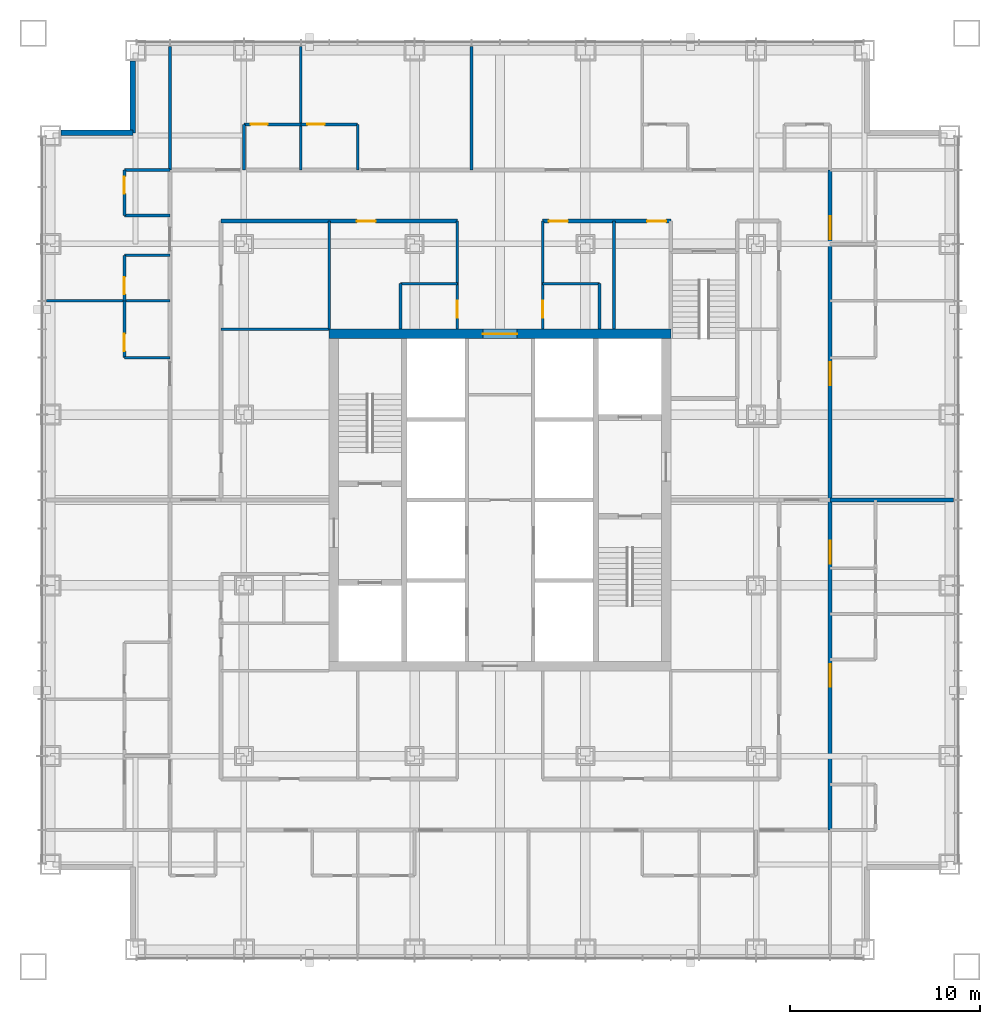
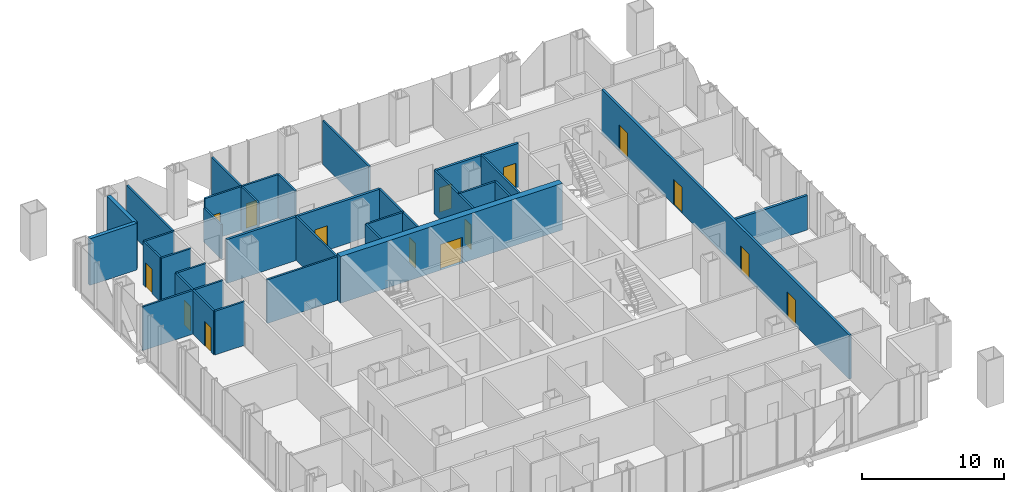
# One storey, part 11 of 14: 31 walls, 15 doors, 15 openings.
"""IFC4 building model written with IfcOpenShell, lengths in metres."""

from ifc_helpers import new_model, si_unit, direction, frame, frame_2d, origin, place, context, subcontext, project, spatial, rectangle, extrude, material, layer, layer_set, type_object, element, fill, save


model = new_model("IFC4")

# Units and contexts
model_context = context("Model", 3, precision=1e-05, world=origin(), true_north=direction((0.0, 1.0)))
body_context = subcontext(model_context, "Body", "Model", "MODEL_VIEW")
ifc_project = project(units=[si_unit("LENGTHUNIT", "METRE"), si_unit("AREAUNIT", "SQUARE_METRE"), si_unit("VOLUMEUNIT", "CUBIC_METRE"), si_unit("PLANEANGLEUNIT", "RADIAN"), si_unit("MASSUNIT", "GRAM", prefix="KILO")], contexts=[model_context])

# Site, building, storey
site_placement = place(None, origin())
site = spatial("IfcSite", under=ifc_project, at=site_placement, CompositionType="ELEMENT")
building_placement = place(site_placement, origin())
building = spatial("IfcBuilding", under=site, at=building_placement, Name="Malebo Sky Hospital", CompositionType="ELEMENT")
storey_placement = place(building_placement, frame((0.0, 0.0, 128.0)))
storey = spatial("IfcBuildingStorey", under=building, at=storey_placement, Name="L30", CompositionType="ELEMENT", Elevation=128.0)

# Wall, opening, door
ifc_material_1 = material(Name="Concrete C80/95", Category="concrete")
ifc_layer_1 = layer(ifc_material_1, 0.5)
ifc_layer_set_1 = layer_set([ifc_layer_1], Name="CORE WALL 500")
wall_type_1 = type_object("IfcWallType", Name="CORE WALL 500", PredefinedType="SHEAR", material=ifc_layer_set_1)
wall_1_placement = place(storey_placement, frame((51.0, 70.75, 0.0), z_axis=(0.0, 0.0, 1.0), x_axis=(1.0, 0.0, 0.0)))
wall_1 = element("IfcWall", 1, at=wall_1_placement, inside=storey, type_object=wall_type_1, Name="Core wall N L30", PredefinedType="SHEAR", context=body_context, shape_type="SweptSolid", body=[
    extrude(rectangle(XDim=18.0, YDim=0.5, at=frame_2d((9.0, 0.0))), origin(), (0.0, 0.0, 1.0), 4.0),
])
opening_1_placement = place(wall_1_placement, frame((8.10009765625, 0.0, 0.0)))
opening_1 = element("IfcOpeningElement", 2, at=opening_1_placement, cuts=wall_1, Name="Opening D06", PredefinedType="OPENING", context=body_context, shape_type="SweptSolid", body=[
    extrude(rectangle(XDim=1.800048828125, YDim=2.199951171875, at=frame_2d((0.89990234375, 1.10009765625))), frame((0.0, 0.260009765625, 0.0), z_axis=(0.0, -1.0, 0.0), x_axis=(1.0, 0.0, 0.0)), (0.0, 0.0, 1.0), 0.52001953125),
])
ifc_material_2 = material(Name="Hardwood-faced door leaf in steel frame", Category="steel")
door_type_1 = type_object("IfcDoorType", Name="LOBBY DOOR PAIR 1800", OperationType="DOUBLE_DOOR_SINGLE_SWING", PredefinedType="DOOR", material=ifc_material_2)
door_1_placement = place(opening_1_placement, origin())
door_1 = element("IfcDoor", 3, at=door_1_placement, inside=storey, type_object=door_type_1, Name="vending room door north", OperationType="DOUBLE_DOOR_SINGLE_SWING", OverallHeight=2.199951171875, OverallWidth=1.800048828125, PredefinedType="DOOR", context=body_context, shape_type="SweptSolid", body=[
    extrude(rectangle(XDim=1.800048828125, YDim=2.199951171875, at=frame_2d((0.89990234375, 1.10009765625))), frame((0.0, 0.02490234375, 0.0), z_axis=(0.0, -1.0, 0.0), x_axis=(1.0, 0.0, 0.0)), (0.0, 0.0, 1.0), 0.050048828125),
])
fill(opening_1, door_1)

ifc_material_3 = material(Name="Gypsum board on steel studs", Category="steel")
ifc_layer_2 = layer(ifc_material_3, 0.199951171875)
ifc_layer_set_2 = layer_set([ifc_layer_2], Name="CORRIDOR WALL 200")
wall_type_2 = type_object("IfcWallType", Name="CORRIDOR WALL 200", PredefinedType="PARTITIONING", material=ifc_layer_set_2)
wall_2_placement = place(storey_placement, frame((45.300048828125, 76.699951171875, 0.0), z_axis=(0.0, 0.0, 1.0), x_axis=(1.0, 0.0, 0.0)))
wall_2 = element("IfcWall", 4, at=wall_2_placement, inside=storey, type_object=wall_type_2, Name="Corridor Wall 200 NCI1", PredefinedType="PARTITIONING", context=body_context, shape_type="SweptSolid", body=[
    extrude(rectangle(XDim=12.449951171875, YDim=0.199951171875, at=frame_2d((6.22509765625, 0.0))), origin(), (0.0, 0.0, 1.0), 3.75),
])
opening_2_placement = place(wall_2_placement, frame((7.14990234375, 0.0, 0.0)))
opening_2 = element("IfcOpeningElement", 5, at=opening_2_placement, cuts=wall_2, Name="Opening D03", PredefinedType="OPENING", context=body_context, shape_type="SweptSolid", body=[
    extrude(rectangle(XDim=1.0, YDim=2.10009765625, at=frame_2d((0.5, 1.050048828125))), frame((0.0, 0.10986328125, 0.0), z_axis=(0.0, -1.0, 0.0), x_axis=(1.0, 0.0, 0.0)), (0.0, 0.0, 1.0), 0.219970703125),
])
door_type_2 = type_object("IfcDoorType", Name="ROOM DOOR 1000", OperationType="SINGLE_SWING_LEFT", PredefinedType="DOOR", material=ifc_material_2)
door_2_placement = place(opening_2_placement, origin())
door_2 = element("IfcDoor", 6, at=door_2_placement, inside=storey, type_object=door_type_2, Name="Ward pantry door", OperationType="SINGLE_SWING_LEFT", OverallHeight=2.10009765625, OverallWidth=1.0, PredefinedType="DOOR", context=body_context, shape_type="SweptSolid", body=[
    extrude(rectangle(XDim=1.0, YDim=2.10009765625, at=frame_2d((0.5, 1.050048828125))), frame((0.0, 0.02490234375, 0.0), z_axis=(0.0, -1.0, 0.0), x_axis=(1.0, 0.0, 0.0)), (0.0, 0.0, 1.0), 0.050048828125),
])
fill(opening_2, door_2)

# Wall, openings, doors
wall_3_placement = place(storey_placement, frame((62.25, 76.699951171875, 0.0), z_axis=(0.0, 0.0, 1.0), x_axis=(1.0, 0.0, 0.0)))
wall_3 = element("IfcWall", 7, at=wall_3_placement, inside=storey, type_object=wall_type_2, Name="Corridor Wall 200 NCI2", PredefinedType="PARTITIONING", context=body_context, shape_type="SweptSolid", body=[
    extrude(rectangle(XDim=6.75, YDim=0.199951171875, at=frame_2d((3.375, 0.0))), origin(), (0.0, 0.0, 1.0), 3.75),
])
opening_3_placement = place(wall_3_placement, frame((0.324951171875, 0.0, 0.0)))
opening_3 = element("IfcOpeningElement", 8, at=opening_3_placement, cuts=wall_3, Name="Opening D03", PredefinedType="OPENING", context=body_context, shape_type="SweptSolid", body=[
    extrude(rectangle(XDim=1.0, YDim=2.10009765625, at=frame_2d((0.5, 1.050048828125))), frame((0.0, 0.10986328125, 0.0), z_axis=(0.0, -1.0, 0.0), x_axis=(1.0, 0.0, 0.0)), (0.0, 0.0, 1.0), 0.219970703125),
])
opening_4_placement = place(wall_3_placement, frame((5.5, 0.0, 0.0)))
opening_4 = element("IfcOpeningElement", 9, at=opening_4_placement, cuts=wall_3, Name="Opening D03", PredefinedType="OPENING", context=body_context, shape_type="SweptSolid", body=[
    extrude(rectangle(XDim=1.0, YDim=2.10009765625, at=frame_2d((0.5, 1.050048828125))), frame((0.0, 0.10986328125, 0.0), z_axis=(0.0, -1.0, 0.0), x_axis=(1.0, 0.0, 0.0)), (0.0, 0.0, 1.0), 0.219970703125),
])
door_3_placement = place(opening_3_placement, origin())
door_3 = element("IfcDoor", 10, at=door_3_placement, inside=storey, type_object=door_type_2, Name="Medication room door", OperationType="SINGLE_SWING_LEFT", OverallHeight=2.10009765625, OverallWidth=1.0, PredefinedType="DOOR", context=body_context, shape_type="SweptSolid", body=[
    extrude(rectangle(XDim=1.0, YDim=2.10009765625, at=frame_2d((0.5, 1.050048828125))), frame((0.0, 0.02490234375, 0.0), z_axis=(0.0, -1.0, 0.0), x_axis=(1.0, 0.0, 0.0)), (0.0, 0.0, 1.0), 0.050048828125),
])
fill(opening_3, door_3)
door_4_placement = place(opening_4_placement, origin())
door_4 = element("IfcDoor", 11, at=door_4_placement, inside=storey, type_object=door_type_2, Name="Seminar room door", OperationType="SINGLE_SWING_RIGHT", OverallHeight=2.10009765625, OverallWidth=1.0, PredefinedType="DOOR", context=body_context, shape_type="SweptSolid", body=[
    extrude(rectangle(XDim=1.0, YDim=2.10009765625, at=frame_2d((0.5, 1.050048828125))), frame((0.0, 0.02490234375, 0.0), z_axis=(0.0, -1.0, 0.0), x_axis=(1.0, 0.0, 0.0)), (0.0, 0.0, 1.0), 0.050048828125),
])
fill(opening_4, door_4)

wall_4_placement = place(storey_placement, frame((77.39990234375, 79.39990234375, 0.0), z_axis=(0.0, 0.0, 1.0), x_axis=(0.0, -1.0, 0.0)))
wall_4 = element("IfcWall", 12, at=wall_4_placement, inside=storey, type_object=wall_type_2, Name="Corridor Wall 200 ECO", PredefinedType="PARTITIONING", context=body_context, shape_type="SweptSolid", body=[
    extrude(rectangle(XDim=34.7998046875, YDim=0.199951171875, at=frame_2d((17.39990234375, 0.0))), origin(), (0.0, 0.0, 1.0), 3.75),
])
opening_5_placement = place(wall_4_placement, frame((2.449951171875, 0.0, 0.0)))
opening_5 = element("IfcOpeningElement", 13, at=opening_5_placement, cuts=wall_4, Name="Opening D18", PredefinedType="OPENING", context=body_context, shape_type="SweptSolid", body=[
    extrude(rectangle(XDim=1.199951171875, YDim=2.199951171875, at=frame_2d((0.60009765625, 1.10009765625))), frame((0.0, 0.10986328125, 0.0), z_axis=(0.0, -1.0, 0.0), x_axis=(1.0, 0.0, 0.0)), (0.0, 0.0, 1.0), 0.219970703125),
])
opening_6_placement = place(wall_4_placement, frame((10.14990234375, 0.0, 0.0)))
opening_6 = element("IfcOpeningElement", 14, at=opening_6_placement, cuts=wall_4, Name="Opening D01", PredefinedType="OPENING", context=body_context, shape_type="SweptSolid", body=[
    extrude(rectangle(XDim=1.199951171875, YDim=2.199951171875, at=frame_2d((0.60009765625, 1.10009765625))), frame((0.0, 0.10986328125, 0.0), z_axis=(0.0, -1.0, 0.0), x_axis=(1.0, 0.0, 0.0)), (0.0, 0.0, 1.0), 0.219970703125),
])
opening_7_placement = place(wall_4_placement, frame((19.550048828125, 0.0, 0.0)))
opening_7 = element("IfcOpeningElement", 15, at=opening_7_placement, cuts=wall_4, Name="Opening D18", PredefinedType="OPENING", context=body_context, shape_type="SweptSolid", body=[
    extrude(rectangle(XDim=1.199951171875, YDim=2.199951171875, at=frame_2d((0.60009765625, 1.10009765625))), frame((0.0, 0.10986328125, 0.0), z_axis=(0.0, -1.0, 0.0), x_axis=(1.0, 0.0, 0.0)), (0.0, 0.0, 1.0), 0.219970703125),
])
opening_8_placement = place(wall_4_placement, frame((26.050048828125, 0.0, 0.0)))
opening_8 = element("IfcOpeningElement", 16, at=opening_8_placement, cuts=wall_4, Name="Opening D01", PredefinedType="OPENING", context=body_context, shape_type="SweptSolid", body=[
    extrude(rectangle(XDim=1.199951171875, YDim=2.199951171875, at=frame_2d((0.60009765625, 1.10009765625))), frame((0.0, 0.10986328125, 0.0), z_axis=(0.0, -1.0, 0.0), x_axis=(1.0, 0.0, 0.0)), (0.0, 0.0, 1.0), 0.219970703125),
])
door_type_3 = type_object("IfcDoorType", Name="ANTEROOM DOOR 1200", OperationType="SINGLE_SWING_LEFT", PredefinedType="DOOR", material=ifc_material_2)
door_5_placement = place(opening_5_placement, origin())
door_5 = element("IfcDoor", 17, at=door_5_placement, inside=storey, type_object=door_type_3, Name="Anteroom door", OperationType="SINGLE_SWING_RIGHT", OverallHeight=2.199951171875, OverallWidth=1.199951171875, PredefinedType="DOOR", context=body_context, shape_type="SweptSolid", body=[
    extrude(rectangle(XDim=1.199951171875, YDim=2.199951171875, at=frame_2d((0.60009765625, 1.10009765625))), frame((0.0, 0.02490234375, 0.0), z_axis=(0.0, -1.0, 0.0), x_axis=(1.0, 0.0, 0.0)), (0.0, 0.0, 1.0), 0.050048828125),
])
fill(opening_5, door_5)
door_6_placement = place(opening_7_placement, origin())
door_6 = element("IfcDoor", 18, at=door_6_placement, inside=storey, type_object=door_type_3, Name="Anteroom door", OperationType="SINGLE_SWING_RIGHT", OverallHeight=2.199951171875, OverallWidth=1.199951171875, PredefinedType="DOOR", context=body_context, shape_type="SweptSolid", body=[
    extrude(rectangle(XDim=1.199951171875, YDim=2.199951171875, at=frame_2d((0.60009765625, 1.10009765625))), frame((0.0, 0.02490234375, 0.0), z_axis=(0.0, -1.0, 0.0), x_axis=(1.0, 0.0, 0.0)), (0.0, 0.0, 1.0), 0.050048828125),
])
fill(opening_7, door_6)
door_type_4 = type_object("IfcDoorType", Name="BED DOOR 1200", OperationType="SINGLE_SWING_LEFT", PredefinedType="DOOR", material=ifc_material_2)
door_7_placement = place(opening_6_placement, origin())
door_7 = element("IfcDoor", 19, at=door_7_placement, inside=storey, type_object=door_type_4, Name="Two-bed room door", OperationType="SINGLE_SWING_LEFT", OverallHeight=2.199951171875, OverallWidth=1.199951171875, PredefinedType="DOOR", context=body_context, shape_type="SweptSolid", body=[
    extrude(rectangle(XDim=1.199951171875, YDim=2.199951171875, at=frame_2d((0.60009765625, 1.10009765625))), frame((0.0, 0.02490234375, 0.0), z_axis=(0.0, -1.0, 0.0), x_axis=(1.0, 0.0, 0.0)), (0.0, 0.0, 1.0), 0.050048828125),
])
fill(opening_6, door_7)
door_8_placement = place(opening_8_placement, origin())
door_8 = element("IfcDoor", 20, at=door_8_placement, inside=storey, type_object=door_type_4, Name="Four-bed bay door", OperationType="SINGLE_SWING_LEFT", OverallHeight=2.199951171875, OverallWidth=1.199951171875, PredefinedType="DOOR", context=body_context, shape_type="SweptSolid", body=[
    extrude(rectangle(XDim=1.199951171875, YDim=2.199951171875, at=frame_2d((0.60009765625, 1.10009765625))), frame((0.0, 0.02490234375, 0.0), z_axis=(0.0, -1.0, 0.0), x_axis=(1.0, 0.0, 0.0)), (0.0, 0.0, 1.0), 0.050048828125),
])
fill(opening_8, door_8)

# Walls
ifc_material_4 = material(Name="Anodised aluminium rainscreen on steel framing", Category="steel")
ifc_layer_3 = layer(ifc_material_4, 0.300048828125)
ifc_layer_set_3 = layer_set([ifc_layer_3], Name="NOTCH RAINSCREEN WALL 300")
wall_type_3 = type_object("IfcWallType", Name="NOTCH RAINSCREEN WALL 300", PredefinedType="ELEMENTEDWALL", material=ifc_layer_set_3)
for number, where, z_axis, x_axis, name in (
    (21, (36.85009765625, 81.35009765625, 0.0), (0.0, 0.0, 1.0), (1.0, 0.0, 0.0), "Notch rainscreen wall W1 L30"),
    (22, (40.64990234375, 81.35009765625, 0.0), (0.0, 0.0, 1.0), (0.0, 1.0, 0.0), "Notch rainscreen wall W2 L30"),
):
    element("IfcWall", number, at=place(storey_placement, frame(where, z_axis=z_axis, x_axis=x_axis)), inside=storey, type_object=wall_type_3, Name=name, PredefinedType="ELEMENTEDWALL", context=body_context, shape_type="SweptSolid", body=[
        extrude(rectangle(XDim=3.7998046875, YDim=0.300048828125, at=frame_2d((1.89990234375, 0.0))), origin(), (0.0, 0.0, 1.0), 4.0),
    ])
ifc_layer_4 = layer(ifc_material_3, 0.14990234375)
ifc_layer_set_4 = layer_set([ifc_layer_4], Name="PARTITION 150")
wall_type_4 = type_object("IfcWallType", Name="PARTITION 150", PredefinedType="PARTITIONING", material=ifc_layer_set_4)
for number, where, z_axis, x_axis, name in (
    (23, (49.5, 79.39990234375, 0.0), (0.0, 0.0, 1.0), (0.0, 1.0, 0.0), "Partition 150 NP-10.5"),
    (24, (58.5, 79.39990234375, 0.0), (0.0, 0.0, 1.0), (0.0, 1.0, 0.0), "Partition 150 NP-1.5"),
    (25, (42.60009765625, 79.39990234375, 0.0), (0.0, 0.0, 1.0), (0.0, 1.0, 0.0), "Partition 150 NP0"),
):
    element("IfcWall", number, at=place(storey_placement, frame(where, z_axis=z_axis, x_axis=x_axis)), inside=storey, type_object=wall_type_4, Name=name, PredefinedType="PARTITIONING", context=body_context, shape_type="SweptSolid", body=[
        extrude(rectangle(XDim=6.510009765625, YDim=0.14990234375, at=frame_2d((3.2548828125, 0.0))), origin(), (0.0, 0.0, 1.0), 3.75),
    ])

# Wall, opening, door
wall_5_placement = place(storey_placement, frame((46.5, 81.800048828125, 0.0), z_axis=(0.0, 0.0, 1.0), x_axis=(1.0, 0.0, 0.0)))
wall_5 = element("IfcWall", 26, at=wall_5_placement, inside=storey, type_object=wall_type_4, Name="Partition 150 NE0F", PredefinedType="PARTITIONING", context=body_context, shape_type="SweptSolid", body=[
    extrude(rectangle(XDim=3.0, YDim=0.14990234375, at=frame_2d((1.5, 0.0))), origin(), (0.0, 0.0, 1.0), 3.75),
])
opening_9_placement = place(wall_5_placement, frame((0.35009765625, 0.0, 0.0)))
opening_9 = element("IfcOpeningElement", 27, at=opening_9_placement, cuts=wall_5, Name="Opening D02", PredefinedType="OPENING", context=body_context, shape_type="SweptSolid", body=[
    extrude(rectangle(XDim=0.89990234375, YDim=2.10009765625, at=frame_2d((0.449951171875, 1.050048828125))), frame((0.0, 0.0849609375, 0.0), z_axis=(0.0, -1.0, 0.0), x_axis=(1.0, 0.0, 0.0)), (0.0, 0.0, 1.0), 0.169921875),
])
door_type_5 = type_object("IfcDoorType", Name="EN-SUITE DOOR 900", OperationType="SINGLE_SWING_LEFT", PredefinedType="DOOR", material=ifc_material_2)
door_9_placement = place(opening_9_placement, origin())
door_9 = element("IfcDoor", 28, at=door_9_placement, inside=storey, type_object=door_type_5, Name="En-suite door", OperationType="SINGLE_SWING_LEFT", OverallHeight=2.10009765625, OverallWidth=0.89990234375, PredefinedType="DOOR", context=body_context, shape_type="SweptSolid", body=[
    extrude(rectangle(XDim=0.89990234375, YDim=2.10009765625, at=frame_2d((0.449951171875, 1.050048828125))), frame((0.0, 0.02490234375, 0.0), z_axis=(0.0, -1.0, 0.0), x_axis=(1.0, 0.0, 0.0)), (0.0, 0.0, 1.0), 0.050048828125),
])
fill(opening_9, door_9)

# Wall
wall_6_placement = place(storey_placement, frame((46.5, 79.39990234375, 0.0), z_axis=(0.0, 0.0, 1.0), x_axis=(0.0, 1.0, 0.0)))
element("IfcWall", 29, at=wall_6_placement, inside=storey, type_object=wall_type_4, Name="Partition 150 NE0S", PredefinedType="PARTITIONING", context=body_context, shape_type="SweptSolid", body=[
    extrude(rectangle(XDim=2.400146484375, YDim=0.14990234375, at=frame_2d((1.2001953125, 0.0))), origin(), (0.0, 0.0, 1.0), 2.949951171875),
])

# Wall, opening, door
wall_7_placement = place(storey_placement, frame((49.5, 81.800048828125, 0.0), z_axis=(0.0, 0.0, 1.0), x_axis=(1.0, 0.0, 0.0)))
wall_7 = element("IfcWall", 30, at=wall_7_placement, inside=storey, type_object=wall_type_4, Name="Partition 150 NE1F", PredefinedType="PARTITIONING", context=body_context, shape_type="SweptSolid", body=[
    extrude(rectangle(XDim=3.0, YDim=0.14990234375, at=frame_2d((1.5, 0.0))), origin(), (0.0, 0.0, 1.0), 3.75),
])
opening_10_placement = place(wall_7_placement, frame((0.35009765625, 0.0, 0.0)))
opening_10 = element("IfcOpeningElement", 31, at=opening_10_placement, cuts=wall_7, Name="Opening D02", PredefinedType="OPENING", context=body_context, shape_type="SweptSolid", body=[
    extrude(rectangle(XDim=0.89990234375, YDim=2.10009765625, at=frame_2d((0.449951171875, 1.050048828125))), frame((0.0, 0.0849609375, 0.0), z_axis=(0.0, -1.0, 0.0), x_axis=(1.0, 0.0, 0.0)), (0.0, 0.0, 1.0), 0.169921875),
])
door_10_placement = place(opening_10_placement, origin())
door_10 = element("IfcDoor", 32, at=door_10_placement, inside=storey, type_object=door_type_5, Name="En-suite door", OperationType="SINGLE_SWING_LEFT", OverallHeight=2.10009765625, OverallWidth=0.89990234375, PredefinedType="DOOR", context=body_context, shape_type="SweptSolid", body=[
    extrude(rectangle(XDim=0.89990234375, YDim=2.10009765625, at=frame_2d((0.449951171875, 1.050048828125))), frame((0.0, 0.02490234375, 0.0), z_axis=(0.0, -1.0, 0.0), x_axis=(1.0, 0.0, 0.0)), (0.0, 0.0, 1.0), 0.050048828125),
])
fill(opening_10, door_10)

# Walls
wall_8_placement = place(storey_placement, frame((52.5, 79.39990234375, 0.0), z_axis=(0.0, 0.0, 1.0), x_axis=(0.0, 1.0, 0.0)))
element("IfcWall", 33, at=wall_8_placement, inside=storey, type_object=wall_type_4, Name="Partition 150 NE1S", PredefinedType="PARTITIONING", context=body_context, shape_type="SweptSolid", body=[
    extrude(rectangle(XDim=2.400146484375, YDim=0.14990234375, at=frame_2d((1.2001953125, 0.0))), origin(), (0.0, 0.0, 1.0), 3.75),
])
wall_9_placement = place(storey_placement, frame((51.0, 71.0, 0.0), z_axis=(0.0, 0.0, 1.0), x_axis=(0.0, 1.0, 0.0)))
element("IfcWall", 34, at=wall_9_placement, inside=storey, type_object=wall_type_4, Name="Partition 150 NSP0", PredefinedType="PARTITIONING", context=body_context, shape_type="SweptSolid", body=[
    extrude(rectangle(XDim=5.699951171875, YDim=0.14990234375, at=frame_2d((2.85009765625, 0.0))), origin(), (0.0, 0.0, 1.0), 3.75),
])

# Wall, opening, door
wall_10_placement = place(storey_placement, frame((57.75, 71.0, 0.0), z_axis=(0.0, 0.0, 1.0), x_axis=(0.0, 1.0, 0.0)))
wall_10 = element("IfcWall", 35, at=wall_10_placement, inside=storey, type_object=wall_type_4, Name="Partition 150 NSPA", PredefinedType="PARTITIONING", context=body_context, shape_type="SweptSolid", body=[
    extrude(rectangle(XDim=5.699951171875, YDim=0.14990234375, at=frame_2d((2.85009765625, 0.0))), origin(), (0.0, 0.0, 1.0), 3.75),
])
opening_11_placement = place(wall_10_placement, frame((0.60009765625, 0.0, 0.0)))
opening_11 = element("IfcOpeningElement", 36, at=opening_11_placement, cuts=wall_10, Name="Opening D04", PredefinedType="OPENING", context=body_context, shape_type="SweptSolid", body=[
    extrude(rectangle(XDim=0.89990234375, YDim=2.10009765625, at=frame_2d((0.449951171875, 1.050048828125))), frame((0.0, 0.0849609375, 0.0), z_axis=(0.0, -1.0, 0.0), x_axis=(1.0, 0.0, 0.0)), (0.0, 0.0, 1.0), 0.169921875),
])
door_type_6 = type_object("IfcDoorType", Name="ROOM DOOR 900", OperationType="SINGLE_SWING_LEFT", PredefinedType="DOOR", material=ifc_material_2)
door_11_placement = place(opening_11_placement, origin())
door_11 = element("IfcDoor", 37, at=door_11_placement, inside=storey, type_object=door_type_6, Name="Staff WC door", OperationType="SINGLE_SWING_LEFT", OverallHeight=2.10009765625, OverallWidth=0.89990234375, PredefinedType="DOOR", context=body_context, shape_type="SweptSolid", body=[
    extrude(rectangle(XDim=0.89990234375, YDim=2.10009765625, at=frame_2d((0.449951171875, 1.050048828125))), frame((0.0, 0.02490234375, 0.0), z_axis=(0.0, -1.0, 0.0), x_axis=(1.0, 0.0, 0.0)), (0.0, 0.0, 1.0), 0.050048828125),
])
fill(opening_11, door_11)

wall_11_placement = place(storey_placement, frame((62.25, 71.0, 0.0), z_axis=(0.0, 0.0, 1.0), x_axis=(0.0, 1.0, 0.0)))
wall_11 = element("IfcWall", 38, at=wall_11_placement, inside=storey, type_object=wall_type_4, Name="Partition 150 NSPB", PredefinedType="PARTITIONING", context=body_context, shape_type="SweptSolid", body=[
    extrude(rectangle(XDim=5.699951171875, YDim=0.14990234375, at=frame_2d((2.85009765625, 0.0))), origin(), (0.0, 0.0, 1.0), 3.75),
])
opening_12_placement = place(wall_11_placement, frame((0.60009765625, 0.0, 0.0)))
opening_12 = element("IfcOpeningElement", 39, at=opening_12_placement, cuts=wall_11, Name="Opening D04", PredefinedType="OPENING", context=body_context, shape_type="SweptSolid", body=[
    extrude(rectangle(XDim=0.89990234375, YDim=2.10009765625, at=frame_2d((0.449951171875, 1.050048828125))), frame((0.0, 0.0849609375, 0.0), z_axis=(0.0, -1.0, 0.0), x_axis=(1.0, 0.0, 0.0)), (0.0, 0.0, 1.0), 0.169921875),
])
door_12_placement = place(opening_12_placement, origin())
door_12 = element("IfcDoor", 40, at=door_12_placement, inside=storey, type_object=door_type_6, Name="Accessible WC door", OperationType="SINGLE_SWING_LEFT", OverallHeight=2.10009765625, OverallWidth=0.89990234375, PredefinedType="DOOR", context=body_context, shape_type="SweptSolid", body=[
    extrude(rectangle(XDim=0.89990234375, YDim=2.10009765625, at=frame_2d((0.449951171875, 1.050048828125))), frame((0.0, 0.02490234375, 0.0), z_axis=(0.0, -1.0, 0.0), x_axis=(1.0, 0.0, 0.0)), (0.0, 0.0, 1.0), 0.050048828125),
])
fill(opening_12, door_12)

# Walls
wall_12_placement = place(storey_placement, frame((66.0, 71.0, 0.0), z_axis=(0.0, 0.0, 1.0), x_axis=(0.0, 1.0, 0.0)))
element("IfcWall", 41, at=wall_12_placement, inside=storey, type_object=wall_type_4, Name="Partition 150 NSP+6.0", PredefinedType="PARTITIONING", context=body_context, shape_type="SweptSolid", body=[
    extrude(rectangle(XDim=5.699951171875, YDim=0.14990234375, at=frame_2d((2.85009765625, 0.0))), origin(), (0.0, 0.0, 1.0), 3.75),
])
wall_13_placement = place(storey_placement, frame((54.75, 73.39990234375, 0.0), z_axis=(0.0, 0.0, 1.0), x_axis=(1.0, 0.0, 0.0)))
element("IfcWall", 42, at=wall_13_placement, inside=storey, type_object=wall_type_4, Name="Partition 150 NSX0", PredefinedType="PARTITIONING", context=body_context, shape_type="SweptSolid", body=[
    extrude(rectangle(XDim=3.0, YDim=0.14990234375, at=frame_2d((1.5, 0.0))), origin(), (0.0, 0.0, 1.0), 3.75),
])
wall_14_placement = place(storey_placement, frame((54.75, 71.0, 0.0), z_axis=(0.0, 0.0, 1.0), x_axis=(0.0, 1.0, 0.0)))
element("IfcWall", 43, at=wall_14_placement, inside=storey, type_object=wall_type_4, Name="Partition 150 NSY0", PredefinedType="PARTITIONING", context=body_context, shape_type="SweptSolid", body=[
    extrude(rectangle(XDim=2.39990234375, YDim=0.14990234375, at=frame_2d((1.199951171875, 0.0))), origin(), (0.0, 0.0, 1.0), 3.75),
])
wall_15_placement = place(storey_placement, frame((62.25, 73.39990234375, 0.0), z_axis=(0.0, 0.0, 1.0), x_axis=(1.0, 0.0, 0.0)))
element("IfcWall", 44, at=wall_15_placement, inside=storey, type_object=wall_type_4, Name="Partition 150 NSX1", PredefinedType="PARTITIONING", context=body_context, shape_type="SweptSolid", body=[
    extrude(rectangle(XDim=3.0, YDim=0.14990234375, at=frame_2d((1.5, 0.0))), origin(), (0.0, 0.0, 1.0), 3.75),
])
wall_16_placement = place(storey_placement, frame((65.25, 71.0, 0.0), z_axis=(0.0, 0.0, 1.0), x_axis=(0.0, 1.0, 0.0)))
element("IfcWall", 45, at=wall_16_placement, inside=storey, type_object=wall_type_4, Name="Partition 150 NSY1", PredefinedType="PARTITIONING", context=body_context, shape_type="SweptSolid", body=[
    extrude(rectangle(XDim=2.39990234375, YDim=0.14990234375, at=frame_2d((1.199951171875, 0.0))), origin(), (0.0, 0.0, 1.0), 3.75),
])
wall_17_placement = place(storey_placement, frame((42.60009765625, 72.5, 0.0), z_axis=(0.0, 0.0, 1.0), x_axis=(-1.0, 0.0, 0.0)))
element("IfcWall", 46, at=wall_17_placement, inside=storey, type_object=wall_type_4, Name="Partition 150 WP+10.5", PredefinedType="PARTITIONING", context=body_context, shape_type="SweptSolid", body=[
    extrude(rectangle(XDim=6.510009765625, YDim=0.14990234375, at=frame_2d((3.2548828125, 0.0))), origin(), (0.0, 0.0, 1.0), 3.75),
])

# Wall, opening, door
wall_18_placement = place(storey_placement, frame((40.199951171875, 69.5, 0.0), z_axis=(0.0, 0.0, 1.0), x_axis=(0.0, 1.0, 0.0)))
wall_18 = element("IfcWall", 47, at=wall_18_placement, inside=storey, type_object=wall_type_4, Name="Partition 150 WE2F", PredefinedType="PARTITIONING", context=body_context, shape_type="SweptSolid", body=[
    extrude(rectangle(XDim=3.0, YDim=0.14990234375, at=frame_2d((1.5, 0.0))), origin(), (0.0, 0.0, 1.0), 3.75),
])
opening_13_placement = place(wall_18_placement, frame((0.35009765625, 0.0, 0.0)))
opening_13 = element("IfcOpeningElement", 48, at=opening_13_placement, cuts=wall_18, Name="Opening D02", PredefinedType="OPENING", context=body_context, shape_type="SweptSolid", body=[
    extrude(rectangle(XDim=0.89990234375, YDim=2.10009765625, at=frame_2d((0.449951171875, 1.050048828125))), frame((0.0, 0.0849609375, 0.0), z_axis=(0.0, -1.0, 0.0), x_axis=(1.0, 0.0, 0.0)), (0.0, 0.0, 1.0), 0.169921875),
])
door_13_placement = place(opening_13_placement, origin())
door_13 = element("IfcDoor", 49, at=door_13_placement, inside=storey, type_object=door_type_5, Name="En-suite door", OperationType="SINGLE_SWING_LEFT", OverallHeight=2.10009765625, OverallWidth=0.89990234375, PredefinedType="DOOR", context=body_context, shape_type="SweptSolid", body=[
    extrude(rectangle(XDim=0.89990234375, YDim=2.10009765625, at=frame_2d((0.449951171875, 1.050048828125))), frame((0.0, 0.02490234375, 0.0), z_axis=(0.0, -1.0, 0.0), x_axis=(1.0, 0.0, 0.0)), (0.0, 0.0, 1.0), 0.050048828125),
])
fill(opening_13, door_13)

# Wall
wall_19_placement = place(storey_placement, frame((42.60009765625, 69.5, 0.0), z_axis=(0.0, 0.0, 1.0), x_axis=(-1.0, 0.0, 0.0)))
element("IfcWall", 50, at=wall_19_placement, inside=storey, type_object=wall_type_4, Name="Partition 150 WE2S", PredefinedType="PARTITIONING", context=body_context, shape_type="SweptSolid", body=[
    extrude(rectangle(XDim=2.400146484375, YDim=0.14990234375, at=frame_2d((1.2001953125, 0.0))), origin(), (0.0, 0.0, 1.0), 3.75),
])

# Wall, opening, door
wall_20_placement = place(storey_placement, frame((40.199951171875, 72.5, 0.0), z_axis=(0.0, 0.0, 1.0), x_axis=(0.0, 1.0, 0.0)))
wall_20 = element("IfcWall", 51, at=wall_20_placement, inside=storey, type_object=wall_type_4, Name="Partition 150 WE3F", PredefinedType="PARTITIONING", context=body_context, shape_type="SweptSolid", body=[
    extrude(rectangle(XDim=2.39990234375, YDim=0.14990234375, at=frame_2d((1.199951171875, 0.0))), origin(), (0.0, 0.0, 1.0), 3.75),
])
opening_14_placement = place(wall_20_placement, frame((0.35009765625, 0.0, 0.0)))
opening_14 = element("IfcOpeningElement", 52, at=opening_14_placement, cuts=wall_20, Name="Opening D02", PredefinedType="OPENING", context=body_context, shape_type="SweptSolid", body=[
    extrude(rectangle(XDim=0.89990234375, YDim=2.10009765625, at=frame_2d((0.449951171875, 1.050048828125))), frame((0.0, 0.0849609375, 0.0), z_axis=(0.0, -1.0, 0.0), x_axis=(1.0, 0.0, 0.0)), (0.0, 0.0, 1.0), 0.169921875),
])
door_14_placement = place(opening_14_placement, origin())
door_14 = element("IfcDoor", 53, at=door_14_placement, inside=storey, type_object=door_type_5, Name="En-suite door", OperationType="SINGLE_SWING_LEFT", OverallHeight=2.10009765625, OverallWidth=0.89990234375, PredefinedType="DOOR", context=body_context, shape_type="SweptSolid", body=[
    extrude(rectangle(XDim=0.89990234375, YDim=2.10009765625, at=frame_2d((0.449951171875, 1.050048828125))), frame((0.0, 0.02490234375, 0.0), z_axis=(0.0, -1.0, 0.0), x_axis=(1.0, 0.0, 0.0)), (0.0, 0.0, 1.0), 0.050048828125),
])
fill(opening_14, door_14)

# Wall
wall_21_placement = place(storey_placement, frame((42.60009765625, 74.89990234375, 0.0), z_axis=(0.0, 0.0, 1.0), x_axis=(-1.0, 0.0, 0.0)))
element("IfcWall", 54, at=wall_21_placement, inside=storey, type_object=wall_type_4, Name="Partition 150 WE3S", PredefinedType="PARTITIONING", context=body_context, shape_type="SweptSolid", body=[
    extrude(rectangle(XDim=2.400146484375, YDim=0.14990234375, at=frame_2d((1.2001953125, 0.0))), origin(), (0.0, 0.0, 1.0), 3.75),
])

# Wall, opening, door
wall_22_placement = place(storey_placement, frame((40.199951171875, 77.0, 0.0), z_axis=(0.0, 0.0, 1.0), x_axis=(0.0, 1.0, 0.0)))
wall_22 = element("IfcWall", 55, at=wall_22_placement, inside=storey, type_object=wall_type_4, Name="Partition 150 WG3F", PredefinedType="PARTITIONING", context=body_context, shape_type="SweptSolid", body=[
    extrude(rectangle(XDim=2.39990234375, YDim=0.14990234375, at=frame_2d((1.199951171875, 0.0))), origin(), (0.0, 0.0, 1.0), 3.75),
])
opening_15_placement = place(wall_22_placement, frame((1.14990234375, 0.0, 0.0)))
opening_15 = element("IfcOpeningElement", 56, at=opening_15_placement, cuts=wall_22, Name="Opening D02", PredefinedType="OPENING", context=body_context, shape_type="SweptSolid", body=[
    extrude(rectangle(XDim=0.89990234375, YDim=2.10009765625, at=frame_2d((0.449951171875, 1.050048828125))), frame((0.0, 0.0849609375, 0.0), z_axis=(0.0, -1.0, 0.0), x_axis=(1.0, 0.0, 0.0)), (0.0, 0.0, 1.0), 0.169921875),
])
door_15_placement = place(opening_15_placement, origin())
door_15 = element("IfcDoor", 57, at=door_15_placement, inside=storey, type_object=door_type_5, Name="En-suite door", OperationType="SINGLE_SWING_RIGHT", OverallHeight=2.10009765625, OverallWidth=0.89990234375, PredefinedType="DOOR", context=body_context, shape_type="SweptSolid", body=[
    extrude(rectangle(XDim=0.89990234375, YDim=2.10009765625, at=frame_2d((0.449951171875, 1.050048828125))), frame((0.0, 0.02490234375, 0.0), z_axis=(0.0, -1.0, 0.0), x_axis=(1.0, 0.0, 0.0)), (0.0, 0.0, 1.0), 0.050048828125),
])
fill(opening_15, door_15)

# Walls
for number, where, z_axis, x_axis, name in (
    (58, (42.60009765625, 77.0, 0.0), (0.0, 0.0, 1.0), (-1.0, 0.0, 0.0), "Partition 150 WG3S"),
    (59, (42.60009765625, 79.39990234375, 0.0), (0.0, 0.0, 1.0), (-1.0, 0.0, 0.0), "Partition 150 WEZ"),
):
    element("IfcWall", number, at=place(storey_placement, frame(where, z_axis=z_axis, x_axis=x_axis)), inside=storey, type_object=wall_type_4, Name=name, PredefinedType="PARTITIONING", context=body_context, shape_type="SweptSolid", body=[
        extrude(rectangle(XDim=2.400146484375, YDim=0.14990234375, at=frame_2d((1.2001953125, 0.0))), origin(), (0.0, 0.0, 1.0), 3.75),
    ])
wall_23_placement = place(storey_placement, frame((51.0, 71.0, 0.0), z_axis=(0.0, 0.0, 1.0), x_axis=(-1.0, 0.0, 0.0)))
element("IfcWall", 60, at=wall_23_placement, inside=storey, type_object=wall_type_4, Name="Partition 150 WSP+9.0", PredefinedType="PARTITIONING", context=body_context, shape_type="SweptSolid", body=[
    extrude(rectangle(XDim=5.699951171875, YDim=0.14990234375, at=frame_2d((2.85009765625, 0.0))), origin(), (0.0, 0.0, 1.0), 3.75),
])
ifc_material_5 = material(Name="Concrete blockwork", Category="masonry")
ifc_layer_5 = layer(ifc_material_5, 0.199951171875)
ifc_layer_set_5 = layer_set([ifc_layer_5], Name="SMOKE BARRIER WALL 200")
wall_type_5 = type_object("IfcWallType", Name="SMOKE BARRIER WALL 200", PredefinedType="SOLIDWALL", material=ifc_layer_set_5)
wall_24_placement = place(storey_placement, frame((77.39990234375, 62.0, 0.0), z_axis=(0.0, 0.0, 1.0), x_axis=(1.0, 0.0, 0.0)))
element("IfcWall", 61, at=wall_24_placement, inside=storey, type_object=wall_type_5, Name="Smoke Barrier Wall 200 EP+0.0", PredefinedType="SOLIDWALL", context=body_context, shape_type="SweptSolid", body=[
    extrude(rectangle(XDim=6.510009765625, YDim=0.199951171875, at=frame_2d((3.2548828125, 0.0))), origin(), (0.0, 0.0, 1.0), 2.949951171875),
])

save(model, "model.ifc")
